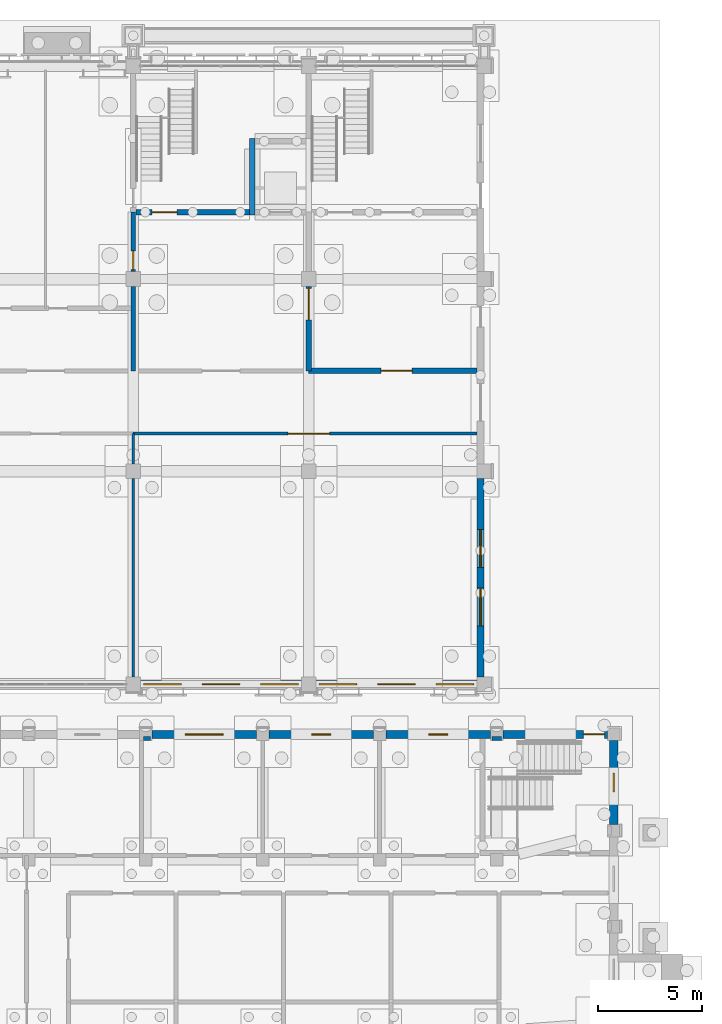
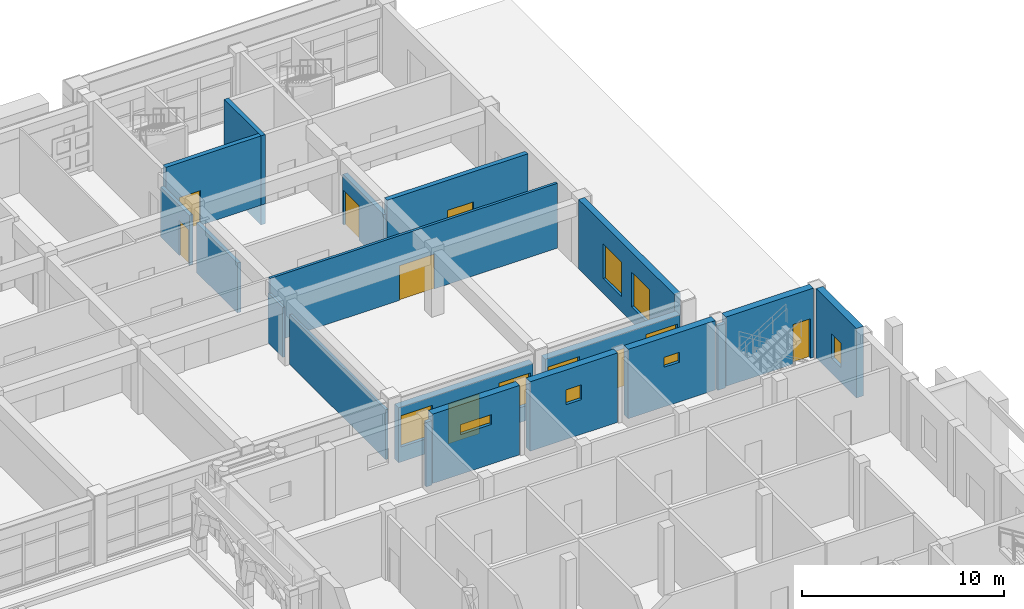
# One storey, part 77 of 112: 20 walls, 10 windows, 8 doors, 18 openings.
"""IFC4 building model written with IfcOpenShell, lengths in metres."""

from ifc_helpers import new_model, si_unit, direction, frame, frame_2d, origin, place, context, subcontext, project, spatial, rectangle, extrude, material, layer, layer_set, type_object, element, fill, save


model = new_model("IFC4")

# Units and contexts
model_context = context("Model", 3, precision=1e-05, world=origin(), true_north=direction((0.0, 1.0)))
body_context = subcontext(model_context, "Body", "Model", "MODEL_VIEW")
ifc_project = project(units=[si_unit("LENGTHUNIT", "METRE"), si_unit("AREAUNIT", "SQUARE_METRE"), si_unit("VOLUMEUNIT", "CUBIC_METRE"), si_unit("PLANEANGLEUNIT", "RADIAN"), si_unit("MASSUNIT", "GRAM", prefix="KILO")], contexts=[model_context])

# Site, building, storey
site_placement = place(None, origin())
site = spatial("IfcSite", under=ifc_project, at=site_placement, CompositionType="ELEMENT")
building_placement = place(site_placement, origin())
building = spatial("IfcBuilding", under=site, at=building_placement, Name="Wasatch Bagh Community Centre", CompositionType="ELEMENT")
storey_placement = place(building_placement, origin())
storey = spatial("IfcBuildingStorey", under=building, at=storey_placement, Name="L00", CompositionType="ELEMENT", Elevation=0.0)

# Wall, opening, door
ifc_material_1 = material(Name="Concrete C40", Category="concrete")
ifc_layer_1 = layer(ifc_material_1, 0.25)
ifc_layer_set_1 = layer_set([ifc_layer_1], Name="Concrete C40")
wall_type_1 = type_object("IfcWallType", Name="LW core wall 250", PredefinedType="SHEAR", material=ifc_layer_set_1)
wall_1_placement = place(storey_placement, frame((122.925048828125, 90.800048828125, 0.0), z_axis=(0.0, 0.0, 1.0), x_axis=(1.0, 0.0, 0.0)))
wall_1 = element("IfcWall", 1, at=wall_1_placement, inside=storey, type_object=wall_type_1, Name="LW.swall.L00.07", PredefinedType="SHEAR", context=body_context, shape_type="SweptSolid", body=[
    extrude(rectangle(XDim=5.449951171875, YDim=0.25, at=frame_2d((2.72509765625, 0.0))), origin(), (0.0, 0.0, 1.0), 4.199951171875),
])
opening_1_placement = place(wall_1_placement, frame((0.77490234375, 0.0, 0.0)))
opening_1 = element("IfcOpeningElement", 2, at=opening_1_placement, cuts=wall_1, Name="Opening 0L-51", PredefinedType="OPENING", context=body_context, shape_type="SweptSolid", body=[
    extrude(rectangle(XDim=1.199951171875, YDim=2.10009765625, at=frame_2d((0.60009765625, 1.050048828125))), frame((0.0, 0.135009765625, 0.0), z_axis=(0.0, -1.0, 0.0), x_axis=(1.0, 0.0, 0.0)), (0.0, 0.0, 1.0), 0.27001953125),
])
ifc_material_2 = material(Name="Painted timber", Category="wood")
door_type_1 = type_object("IfcDoorType", Name="LW stair door 1200x2100", OperationType="SINGLE_SWING_LEFT", PredefinedType="DOOR", material=ifc_material_2)
door_1_placement = place(opening_1_placement, origin())
door_1 = element("IfcDoor", 3, at=door_1_placement, inside=storey, type_object=door_type_1, Name="Stair door 0L-51", OperationType="SINGLE_SWING_LEFT", OverallHeight=2.10009765625, OverallWidth=1.199951171875, PredefinedType="DOOR", context=body_context, shape_type="SweptSolid", body=[
    extrude(rectangle(XDim=1.199951171875, YDim=2.10009765625, at=frame_2d((0.60009765625, 1.050048828125))), frame((0.0, 0.02490234375, 0.0), z_axis=(0.0, -1.0, 0.0), x_axis=(1.0, 0.0, 0.0)), (0.0, 0.0, 1.0), 0.050048828125),
])
fill(opening_1, door_1)

# Wall
wall_2_placement = place(storey_placement, frame((128.5, 90.675048828125, 0.0), z_axis=(0.0, 0.0, 1.0), x_axis=(0.0, 1.0, 0.0)))
element("IfcWall", 4, at=wall_2_placement, inside=storey, type_object=wall_type_1, Name="LW.swall.L00.26", PredefinedType="SHEAR", context=body_context, shape_type="SweptSolid", body=[
    extrude(rectangle(XDim=3.64990234375, YDim=0.25, at=frame_2d((1.824951171875, 0.0))), origin(), (0.0, 0.0, 1.0), 4.199951171875),
])

# Wall, openings, windows
ifc_layer_2 = layer(ifc_material_1, 0.35009765625)
ifc_layer_set_2 = layer_set([ifc_layer_2], Name="Concrete C40")
wall_type_2 = type_object("IfcWallType", Name="LW end shear wall 350", PredefinedType="SHEAR", material=ifc_layer_set_2)
wall_3_placement = place(storey_placement, frame((139.425048828125, 78.050048828125, 0.0), z_axis=(0.0, 0.0, 1.0), x_axis=(0.0, -1.0, 0.0)))
wall_3 = element("IfcWall", 5, at=wall_3_placement, inside=storey, type_object=wall_type_2, Name="LW.swall.L00.28", PredefinedType="SHEAR", context=body_context, shape_type="SweptSolid", body=[
    extrude(rectangle(XDim=9.5, YDim=0.35009765625, at=frame_2d((4.75, 0.0))), origin(), (0.0, 0.0, 1.0), 4.199951171875),
])
opening_2_placement = place(wall_3_placement, frame((5.25, 0.0, 0.89990234375)))
opening_2 = element("IfcOpeningElement", 6, at=opening_2_placement, cuts=wall_3, Name="Opening 0L-W018", PredefinedType="OPENING", context=body_context, shape_type="SweptSolid", body=[
    extrude(rectangle(XDim=1.800048828125, YDim=2.10009765625, at=frame_2d((0.89990234375, 1.050048828125))), frame((0.0, 0.18505859375, 0.0), z_axis=(0.0, -1.0, 0.0), x_axis=(1.0, 0.0, 0.0)), (0.0, 0.0, 1.0), 0.3701171875),
])
opening_3_placement = place(wall_3_placement, frame((2.449951171875, 0.0, 0.89990234375)))
opening_3 = element("IfcOpeningElement", 7, at=opening_3_placement, cuts=wall_3, Name="Opening 0L-W019", PredefinedType="OPENING", context=body_context, shape_type="SweptSolid", body=[
    extrude(rectangle(XDim=1.800048828125, YDim=2.10009765625, at=frame_2d((0.89990234375, 1.050048828125))), frame((0.0, 0.18505859375, 0.0), z_axis=(0.0, -1.0, 0.0), x_axis=(1.0, 0.0, 0.0)), (0.0, 0.0, 1.0), 0.3701171875),
])
ifc_material_3 = material(Name="Aluminium framed double glazing", Category="aluminium")
window_type_1 = type_object("IfcWindowType", Name="LW window 1800x2100", PartitioningType="SINGLE_PANEL", PredefinedType="WINDOW", material=ifc_material_3)
window_1_placement = place(opening_2_placement, origin())
window_1 = element("IfcWindow", 8, at=window_1_placement, inside=storey, type_object=window_type_1, Name="Window 0L-W018", OverallHeight=2.10009765625, OverallWidth=1.800048828125, PartitioningType="SINGLE_PANEL", PredefinedType="WINDOW", context=body_context, shape_type="SweptSolid", body=[
    extrude(rectangle(XDim=1.800048828125, YDim=2.10009765625, at=frame_2d((0.89990234375, 1.050048828125))), frame((0.0, 0.030029296875, 0.0), z_axis=(0.0, -1.0, 0.0), x_axis=(1.0, 0.0, 0.0)), (0.0, 0.0, 1.0), 0.06005859375),
])
fill(opening_2, window_1)
window_2_placement = place(opening_3_placement, origin())
window_2 = element("IfcWindow", 9, at=window_2_placement, inside=storey, type_object=window_type_1, Name="Window 0L-W019", OverallHeight=2.10009765625, OverallWidth=1.800048828125, PartitioningType="SINGLE_PANEL", PredefinedType="WINDOW", context=body_context, shape_type="SweptSolid", body=[
    extrude(rectangle(XDim=1.800048828125, YDim=2.10009765625, at=frame_2d((0.89990234375, 1.050048828125))), frame((0.0, 0.030029296875, 0.0), z_axis=(0.0, -1.0, 0.0), x_axis=(1.0, 0.0, 0.0)), (0.0, 0.0, 1.0), 0.06005859375),
])
fill(opening_3, window_2)

# Wall, openings, door, windows
ifc_material_4 = material(Name="Concrete C35", Category="concrete")
ifc_layer_3 = layer(ifc_material_4, 0.39990234375)
ifc_layer_set_3 = layer_set([ifc_layer_3], Name="Concrete C35")
wall_type_3 = type_object("IfcWallType", Name="LW facade wall 400", PredefinedType="SOLIDWALL", material=ifc_layer_set_3)
wall_4_placement = place(storey_placement, frame((123.14990234375, 68.199951171875, 0.0), z_axis=(0.0, 0.0, 1.0), x_axis=(1.0, 0.0, 0.0)))
wall_4 = element("IfcWall", 10, at=wall_4_placement, inside=storey, type_object=wall_type_3, Name="Facade wall", PredefinedType="SOLIDWALL", context=body_context, shape_type="SweptSolid", body=[
    extrude(rectangle(XDim=7.7001953125, YDim=0.39990234375, at=frame_2d((3.85009765625, 0.0))), origin(), (0.0, 0.0, 1.0), 3.320068359375),
])
opening_4_placement = place(wall_4_placement, frame((2.949951171875, 0.0, 0.0)))
opening_4 = element("IfcOpeningElement", 11, at=opening_4_placement, cuts=wall_4, Name="Opening 0L-03", PredefinedType="OPENING", context=body_context, shape_type="SweptSolid", body=[
    extrude(rectangle(XDim=1.800048828125, YDim=2.39990234375, at=frame_2d((0.89990234375, 1.199951171875))), frame((0.0, 0.2099609375, 0.0), z_axis=(0.0, -1.0, 0.0), x_axis=(1.0, 0.0, 0.0)), (0.0, 0.0, 1.0), 0.419921875),
])
opening_5_placement = place(wall_4_placement, frame((0.14990234375, 0.0, 0.89990234375)))
opening_5 = element("IfcOpeningElement", 12, at=opening_5_placement, cuts=wall_4, Name="Opening 0L-W005", PredefinedType="OPENING", context=body_context, shape_type="SweptSolid", body=[
    extrude(rectangle(XDim=1.800048828125, YDim=1.89990234375, at=frame_2d((0.89990234375, 0.949951171875))), frame((0.0, 0.2099609375, 0.0), z_axis=(0.0, -1.0, 0.0), x_axis=(1.0, 0.0, 0.0)), (0.0, 0.0, 1.0), 0.419921875),
])
opening_6_placement = place(wall_4_placement, frame((5.75, 0.0, 0.89990234375)))
opening_6 = element("IfcOpeningElement", 13, at=opening_6_placement, cuts=wall_4, Name="Opening 0L-W006", PredefinedType="OPENING", context=body_context, shape_type="SweptSolid", body=[
    extrude(rectangle(XDim=1.800048828125, YDim=1.89990234375, at=frame_2d((0.89990234375, 0.949951171875))), frame((0.0, 0.2099609375, 0.0), z_axis=(0.0, -1.0, 0.0), x_axis=(1.0, 0.0, 0.0)), (0.0, 0.0, 1.0), 0.419921875),
])
ifc_material_5 = material(Name="Aluminium framed glazed door", Category="aluminium")
door_type_2 = type_object("IfcDoorType", Name="LW terrace door pair 1800x2400", OperationType="DOUBLE_DOOR_SINGLE_SWING", PredefinedType="DOOR", material=ifc_material_5)
door_2_placement = place(opening_4_placement, origin())
door_2 = element("IfcDoor", 14, at=door_2_placement, inside=storey, type_object=door_type_2, Name="Garden door 0L-03", OperationType="DOUBLE_DOOR_SINGLE_SWING", OverallHeight=2.39990234375, OverallWidth=1.800048828125, PredefinedType="DOOR", context=body_context, shape_type="SweptSolid", body=[
    extrude(rectangle(XDim=1.800048828125, YDim=2.39990234375, at=frame_2d((0.89990234375, 1.199951171875))), frame((0.0, 0.02490234375, 0.0), z_axis=(0.0, -1.0, 0.0), x_axis=(1.0, 0.0, 0.0)), (0.0, 0.0, 1.0), 0.050048828125),
])
fill(opening_4, door_2)
window_type_2 = type_object("IfcWindowType", Name="LW window 1800x1900", PartitioningType="SINGLE_PANEL", PredefinedType="WINDOW", material=ifc_material_3)
window_3_placement = place(opening_5_placement, origin())
window_3 = element("IfcWindow", 15, at=window_3_placement, inside=storey, type_object=window_type_2, Name="Window 0L-W005", OverallHeight=1.89990234375, OverallWidth=1.800048828125, PartitioningType="SINGLE_PANEL", PredefinedType="WINDOW", context=body_context, shape_type="SweptSolid", body=[
    extrude(rectangle(XDim=1.800048828125, YDim=1.89990234375, at=frame_2d((0.89990234375, 0.949951171875))), frame((0.0, 0.030029296875, 0.0), z_axis=(0.0, -1.0, 0.0), x_axis=(1.0, 0.0, 0.0)), (0.0, 0.0, 1.0), 0.06005859375),
])
fill(opening_5, window_3)
window_4_placement = place(opening_6_placement, origin())
window_4 = element("IfcWindow", 16, at=window_4_placement, inside=storey, type_object=window_type_2, Name="Window 0L-W006", OverallHeight=1.89990234375, OverallWidth=1.800048828125, PartitioningType="SINGLE_PANEL", PredefinedType="WINDOW", context=body_context, shape_type="SweptSolid", body=[
    extrude(rectangle(XDim=1.800048828125, YDim=1.89990234375, at=frame_2d((0.89990234375, 0.949951171875))), frame((0.0, 0.030029296875, 0.0), z_axis=(0.0, -1.0, 0.0), x_axis=(1.0, 0.0, 0.0)), (0.0, 0.0, 1.0), 0.06005859375),
])
fill(opening_6, window_4)

wall_5_placement = place(storey_placement, frame((131.550048828125, 68.199951171875, 0.0), z_axis=(0.0, 0.0, 1.0), x_axis=(1.0, 0.0, 0.0)))
wall_5 = element("IfcWall", 17, at=wall_5_placement, inside=storey, type_object=wall_type_3, Name="Facade wall", PredefinedType="SOLIDWALL", context=body_context, shape_type="SweptSolid", body=[
    extrude(rectangle(XDim=7.699951171875, YDim=0.39990234375, at=frame_2d((3.85009765625, 0.0))), origin(), (0.0, 0.0, 1.0), 3.320068359375),
])
opening_7_placement = place(wall_5_placement, frame((2.949951171875, 0.0, 0.0)))
opening_7 = element("IfcOpeningElement", 18, at=opening_7_placement, cuts=wall_5, Name="Opening 0L-04", PredefinedType="OPENING", context=body_context, shape_type="SweptSolid", body=[
    extrude(rectangle(XDim=1.800048828125, YDim=2.39990234375, at=frame_2d((0.89990234375, 1.199951171875))), frame((0.0, 0.2099609375, 0.0), z_axis=(0.0, -1.0, 0.0), x_axis=(1.0, 0.0, 0.0)), (0.0, 0.0, 1.0), 0.419921875),
])
opening_8_placement = place(wall_5_placement, frame((0.14990234375, 0.0, 0.89990234375)))
opening_8 = element("IfcOpeningElement", 19, at=opening_8_placement, cuts=wall_5, Name="Opening 0L-W007", PredefinedType="OPENING", context=body_context, shape_type="SweptSolid", body=[
    extrude(rectangle(XDim=1.800048828125, YDim=1.89990234375, at=frame_2d((0.89990234375, 0.949951171875))), frame((0.0, 0.2099609375, 0.0), z_axis=(0.0, -1.0, 0.0), x_axis=(1.0, 0.0, 0.0)), (0.0, 0.0, 1.0), 0.419921875),
])
opening_9_placement = place(wall_5_placement, frame((5.75, 0.0, 0.89990234375)))
opening_9 = element("IfcOpeningElement", 20, at=opening_9_placement, cuts=wall_5, Name="Opening 0L-W008", PredefinedType="OPENING", context=body_context, shape_type="SweptSolid", body=[
    extrude(rectangle(XDim=1.800048828125, YDim=1.89990234375, at=frame_2d((0.89990234375, 0.949951171875))), frame((0.0, 0.2099609375, 0.0), z_axis=(0.0, -1.0, 0.0), x_axis=(1.0, 0.0, 0.0)), (0.0, 0.0, 1.0), 0.419921875),
])
door_3_placement = place(opening_7_placement, origin())
door_3 = element("IfcDoor", 21, at=door_3_placement, inside=storey, type_object=door_type_2, Name="Garden door 0L-04", OperationType="DOUBLE_DOOR_SINGLE_SWING", OverallHeight=2.39990234375, OverallWidth=1.800048828125, PredefinedType="DOOR", context=body_context, shape_type="SweptSolid", body=[
    extrude(rectangle(XDim=1.800048828125, YDim=2.39990234375, at=frame_2d((0.89990234375, 1.199951171875))), frame((0.0, 0.02490234375, 0.0), z_axis=(0.0, -1.0, 0.0), x_axis=(1.0, 0.0, 0.0)), (0.0, 0.0, 1.0), 0.050048828125),
])
fill(opening_7, door_3)
window_5_placement = place(opening_8_placement, origin())
window_5 = element("IfcWindow", 22, at=window_5_placement, inside=storey, type_object=window_type_2, Name="Window 0L-W007", OverallHeight=1.89990234375, OverallWidth=1.800048828125, PartitioningType="SINGLE_PANEL", PredefinedType="WINDOW", context=body_context, shape_type="SweptSolid", body=[
    extrude(rectangle(XDim=1.800048828125, YDim=1.89990234375, at=frame_2d((0.89990234375, 0.949951171875))), frame((0.0, 0.030029296875, 0.0), z_axis=(0.0, -1.0, 0.0), x_axis=(1.0, 0.0, 0.0)), (0.0, 0.0, 1.0), 0.06005859375),
])
fill(opening_8, window_5)
window_6_placement = place(opening_9_placement, origin())
window_6 = element("IfcWindow", 23, at=window_6_placement, inside=storey, type_object=window_type_2, Name="Window 0L-W008", OverallHeight=1.89990234375, OverallWidth=1.800048828125, PartitioningType="SINGLE_PANEL", PredefinedType="WINDOW", context=body_context, shape_type="SweptSolid", body=[
    extrude(rectangle(XDim=1.800048828125, YDim=1.89990234375, at=frame_2d((0.89990234375, 0.949951171875))), frame((0.0, 0.030029296875, 0.0), z_axis=(0.0, -1.0, 0.0), x_axis=(1.0, 0.0, 0.0)), (0.0, 0.0, 1.0), 0.06005859375),
])
fill(opening_9, window_6)

# Wall
ifc_material_6 = material(Name="Blockwork fire partition", Category="masonry")
ifc_layer_4 = layer(ifc_material_6, 0.199951171875)
ifc_layer_set_4 = layer_set([ifc_layer_4], Name="Blockwork fire partition")
wall_type_4 = type_object("IfcWallType", Name="LW fire partition 200", PredefinedType="PARTITIONING", material=ifc_layer_set_4)
wall_6_placement = place(storey_placement, frame((122.800048828125, 83.199951171875, 0.0), z_axis=(0.0, 0.0, 1.0), x_axis=(0.0, 1.0, 0.0)))
element("IfcWall", 24, at=wall_6_placement, inside=storey, type_object=wall_type_4, Name="LW.part.L00.038", PredefinedType="PARTITIONING", context=body_context, shape_type="SweptSolid", body=[
    extrude(rectangle(XDim=4.050048828125, YDim=0.199951171875, at=frame_2d((2.02490234375, 0.0))), origin(), (0.0, 0.0, 1.0), 3.02001953125),
])

# Wall, opening, door
wall_7_placement = place(storey_placement, frame((122.800048828125, 87.949951171875, 0.0), z_axis=(0.0, 0.0, 1.0), x_axis=(0.0, 1.0, 0.0)))
wall_7 = element("IfcWall", 25, at=wall_7_placement, inside=storey, type_object=wall_type_4, Name="LW.part.L00.039", PredefinedType="PARTITIONING", context=body_context, shape_type="SweptSolid", body=[
    extrude(rectangle(XDim=2.85009765625, YDim=0.199951171875, at=frame_2d((1.425048828125, 0.0))), origin(), (0.0, 0.0, 1.0), 3.02001953125),
])
opening_10_placement = place(wall_7_placement, frame((0.10009765625, 0.0, 0.0)))
opening_10 = element("IfcOpeningElement", 26, at=opening_10_placement, cuts=wall_7, Name="Opening 0L-34", PredefinedType="OPENING", context=body_context, shape_type="SweptSolid", body=[
    extrude(rectangle(XDim=0.89990234375, YDim=2.10009765625, at=frame_2d((0.449951171875, 1.050048828125))), frame((0.0, 0.10986328125, 0.0), z_axis=(0.0, -1.0, 0.0), x_axis=(1.0, 0.0, 0.0)), (0.0, 0.0, 1.0), 0.219970703125),
])
door_type_3 = type_object("IfcDoorType", Name="LW WC door 900x2100", OperationType="SINGLE_SWING_LEFT", PredefinedType="DOOR", material=ifc_material_2)
door_4_placement = place(opening_10_placement, origin())
door_4 = element("IfcDoor", 27, at=door_4_placement, inside=storey, type_object=door_type_3, Name="Door Men's Toilets 0L-34", OperationType="SINGLE_SWING_RIGHT", OverallHeight=2.10009765625, OverallWidth=0.89990234375, PredefinedType="DOOR", context=body_context, shape_type="SweptSolid", body=[
    extrude(rectangle(XDim=0.89990234375, YDim=2.10009765625, at=frame_2d((0.449951171875, 1.050048828125))), frame((0.0, 0.02490234375, 0.0), z_axis=(0.0, -1.0, 0.0), x_axis=(1.0, 0.0, 0.0)), (0.0, 0.0, 1.0), 0.050048828125),
])
fill(opening_10, door_4)

# Wall
ifc_layer_5 = layer(ifc_material_4, 0.25)
ifc_layer_set_5 = layer_set([ifc_layer_5], Name="Concrete C35")
wall_type_5 = type_object("IfcWallType", Name="LW lift pit wall 250", PredefinedType="SOLIDWALL", material=ifc_layer_set_5)
wall_8_placement = place(storey_placement, frame((128.5, 90.675048828125, -1.199951171875), z_axis=(0.0, 0.0, 1.0), x_axis=(0.0, 1.0, 0.0)))
element("IfcWall", 28, at=wall_8_placement, inside=storey, type_object=wall_type_5, Name="LW.pit.C3.wall3", PredefinedType="SOLIDWALL", context=body_context, shape_type="SweptSolid", body=[
    extrude(rectangle(XDim=3.64990234375, YDim=0.25, at=frame_2d((1.824951171875, 0.0))), origin(), (0.0, 0.0, 1.0), 1.199951171875),
])

# Wall, opening, door
ifc_material_7 = material(Name="Gypsum board on steel studs", Category="steel")
ifc_layer_6 = layer(ifc_material_7, 0.14990234375)
ifc_layer_set_6 = layer_set([ifc_layer_6], Name="Gypsum board on steel studs")
wall_type_6 = type_object("IfcWallType", Name="LW partition 150", PredefinedType="PARTITIONING", material=ifc_layer_set_6)
wall_9_placement = place(storey_placement, frame((122.800048828125, 80.199951171875, 0.0), z_axis=(0.0, 0.0, 1.0), x_axis=(1.0, 0.0, 0.0)))
wall_9 = element("IfcWall", 29, at=wall_9_placement, inside=storey, type_object=wall_type_6, Name="LW.part.L00.003", PredefinedType="PARTITIONING", context=body_context, shape_type="SweptSolid", body=[
    extrude(rectangle(XDim=16.449951171875, YDim=0.14990234375, at=frame_2d((8.22509765625, 0.0))), origin(), (0.0, 0.0, 1.0), 3.919921875),
])
opening_11_placement = place(wall_9_placement, frame((7.39990234375, 0.0, 0.0)))
opening_11 = element("IfcOpeningElement", 30, at=opening_11_placement, cuts=wall_9, Name="Opening 0L-17", PredefinedType="OPENING", context=body_context, shape_type="SweptSolid", body=[
    extrude(rectangle(XDim=2.0, YDim=2.10009765625, at=frame_2d((1.0, 1.050048828125))), frame((0.0, 0.0849609375, 0.0), z_axis=(0.0, -1.0, 0.0), x_axis=(1.0, 0.0, 0.0)), (0.0, 0.0, 1.0), 0.169921875),
])
door_type_4 = type_object("IfcDoorType", Name="LW assembly door pair 2000x2100", OperationType="DOUBLE_DOOR_SINGLE_SWING", PredefinedType="DOOR", material=ifc_material_2)
door_5_placement = place(opening_11_placement, origin())
door_5 = element("IfcDoor", 31, at=door_5_placement, inside=storey, type_object=door_type_4, Name="Door Community Cafe 0L-17", OperationType="DOUBLE_DOOR_SINGLE_SWING", OverallHeight=2.10009765625, OverallWidth=2.0, PredefinedType="DOOR", context=body_context, shape_type="SweptSolid", body=[
    extrude(rectangle(XDim=2.0, YDim=2.10009765625, at=frame_2d((1.0, 1.050048828125))), frame((0.0, 0.02490234375, 0.0), z_axis=(0.0, -1.0, 0.0), x_axis=(1.0, 0.0, 0.0)), (0.0, 0.0, 1.0), 0.050048828125),
])
fill(opening_11, door_5)

ifc_material_8 = material(Name="Dense blockwork acoustic partition", Category="masonry")
ifc_layer_7 = layer(ifc_material_8, 0.260009765625)
ifc_layer_set_7 = layer_set([ifc_layer_7], Name="Dense blockwork acoustic partition")
wall_type_7 = type_object("IfcWallType", Name="LW plant room partition 260", PredefinedType="PARTITIONING", material=ifc_layer_set_7)
wall_10_placement = place(storey_placement, frame((131.199951171875, 83.199951171875, 0.0), z_axis=(0.0, 0.0, 1.0), x_axis=(1.0, 0.0, 0.0)))
wall_10 = element("IfcWall", 32, at=wall_10_placement, inside=storey, type_object=wall_type_7, Name="LW.part.L00.007", PredefinedType="PARTITIONING", context=body_context, shape_type="SweptSolid", body=[
    extrude(rectangle(XDim=8.050048828125, YDim=0.260009765625, at=frame_2d((4.02490234375, 0.0))), origin(), (0.0, 0.0, 1.0), 3.919921875),
])
opening_12_placement = place(wall_10_placement, frame((3.449951171875, 0.0, 0.0)))
opening_12 = element("IfcOpeningElement", 33, at=opening_12_placement, cuts=wall_10, Name="Opening 0L-36", PredefinedType="OPENING", context=body_context, shape_type="SweptSolid", body=[
    extrude(rectangle(XDim=1.5, YDim=2.10009765625, at=frame_2d((0.75, 1.050048828125))), frame((0.0, 0.139892578125, 0.0), z_axis=(0.0, -1.0, 0.0), x_axis=(1.0, 0.0, 0.0)), (0.0, 0.0, 1.0), 0.280029296875),
])
door_type_5 = type_object("IfcDoorType", Name="LW plant door pair 1500x2400", OperationType="DOUBLE_DOOR_SINGLE_SWING", PredefinedType="DOOR", material=ifc_material_2)
door_6_placement = place(opening_12_placement, origin())
door_6 = element("IfcDoor", 34, at=door_6_placement, inside=storey, type_object=door_type_5, Name="Door Plant Room 0L-36", OperationType="DOUBLE_DOOR_SINGLE_SWING", OverallHeight=2.10009765625, OverallWidth=1.5, PredefinedType="DOOR", context=body_context, shape_type="SweptSolid", body=[
    extrude(rectangle(XDim=1.5, YDim=2.10009765625, at=frame_2d((0.75, 1.050048828125))), frame((0.0, 0.02490234375, 0.0), z_axis=(0.0, -1.0, 0.0), x_axis=(1.0, 0.0, 0.0)), (0.0, 0.0, 1.0), 0.050048828125),
])
fill(opening_12, door_6)

wall_11_placement = place(storey_placement, frame((131.199951171875, 83.199951171875, 0.0), z_axis=(0.0, 0.0, 1.0), x_axis=(0.0, 1.0, 0.0)))
wall_11 = element("IfcWall", 35, at=wall_11_placement, inside=storey, type_object=wall_type_7, Name="LW.part.L00.042", PredefinedType="PARTITIONING", context=body_context, shape_type="SweptSolid", body=[
    extrude(rectangle(XDim=4.050048828125, YDim=0.260009765625, at=frame_2d((2.02490234375, 0.0))), origin(), (0.0, 0.0, 1.0), 3.02001953125),
])
opening_13_placement = place(wall_11_placement, frame((2.449951171875, 0.0, 0.0)))
opening_13 = element("IfcOpeningElement", 36, at=opening_13_placement, cuts=wall_11, Name="Opening 0L-37", PredefinedType="OPENING", context=body_context, shape_type="SweptSolid", body=[
    extrude(rectangle(XDim=1.5, YDim=2.10009765625, at=frame_2d((0.75, 1.050048828125))), frame((0.0, 0.139892578125, 0.0), z_axis=(0.0, -1.0, 0.0), x_axis=(1.0, 0.0, 0.0)), (0.0, 0.0, 1.0), 0.280029296875),
])
door_7_placement = place(opening_13_placement, origin())
door_7 = element("IfcDoor", 37, at=door_7_placement, inside=storey, type_object=door_type_5, Name="Door Plant Room 0L-37", OperationType="DOUBLE_DOOR_SINGLE_SWING", OverallHeight=2.10009765625, OverallWidth=1.5, PredefinedType="DOOR", context=body_context, shape_type="SweptSolid", body=[
    extrude(rectangle(XDim=1.5, YDim=2.10009765625, at=frame_2d((0.75, 1.050048828125))), frame((0.0, 0.02490234375, 0.0), z_axis=(0.0, -1.0, 0.0), x_axis=(1.0, 0.0, 0.0)), (0.0, 0.0, 1.0), 0.050048828125),
])
fill(opening_13, door_7)

# Walls
ifc_material_9 = material(Name="Impact resistant board on steel studs", Category="steel")
ifc_layer_8 = layer(ifc_material_9, 0.139892578125)
ifc_layer_set_8 = layer_set([ifc_layer_8], Name="Impact resistant board on steel studs")
wall_type_8 = type_object("IfcWallType", Name="LW youth room partition 140", PredefinedType="PARTITIONING", material=ifc_layer_set_8)
wall_12_placement = place(storey_placement, frame((122.800048828125, 68.550048828125, 0.0), z_axis=(0.0, 0.0, 1.0), x_axis=(0.0, 1.0, 0.0)))
element("IfcWall", 38, at=wall_12_placement, inside=storey, type_object=wall_type_8, Name="LW.part.L00.040", PredefinedType="PARTITIONING", context=body_context, shape_type="SweptSolid", body=[
    extrude(rectangle(XDim=9.5, YDim=0.139892578125, at=frame_2d((4.75, 0.0))), origin(), (0.0, 0.0, 1.0), 3.02001953125),
])
wall_13_placement = place(storey_placement, frame((122.800048828125, 78.75, 0.0), z_axis=(0.0, 0.0, 1.0), x_axis=(0.0, 1.0, 0.0)))
element("IfcWall", 39, at=wall_13_placement, inside=storey, type_object=wall_type_8, Name="LW.part.L00.041", PredefinedType="PARTITIONING", context=body_context, shape_type="SweptSolid", body=[
    extrude(rectangle(XDim=1.449951171875, YDim=0.139892578125, at=frame_2d((0.72509765625, 0.0))), origin(), (0.0, 0.0, 1.0), 3.02001953125),
])

# Wall, opening, window
ifc_layer_9 = layer(ifc_material_1, 0.39990234375)
ifc_layer_set_9 = layer_set([ifc_layer_9], Name="Concrete C40")
wall_type_9 = type_object("IfcWallType", Name="SH RC WALL 400 solidwall", PredefinedType="SOLIDWALL", material=ifc_layer_set_9)
wall_14_placement = place(storey_placement, frame((123.699951171875, 65.800048828125, 0.0), z_axis=(0.0, 0.0, 1.0), x_axis=(1.0, 0.0, 0.0)))
wall_14 = element("IfcWall", 40, at=wall_14_placement, inside=storey, type_object=wall_type_9, Name="SH.wall.L00.09", PredefinedType="SOLIDWALL", context=body_context, shape_type="SweptSolid", body=[
    extrude(rectangle(XDim=5.0, YDim=0.39990234375, at=frame_2d((2.5, 0.0))), origin(), (0.0, 0.0, 1.0), 4.199951171875),
])
opening_14_placement = place(wall_14_placement, frame((1.60009765625, 0.0, 2.39990234375)))
opening_14 = element("IfcOpeningElement", 41, at=opening_14_placement, cuts=wall_14, Name="Opening 0S-W03", PredefinedType="OPENING", context=body_context, shape_type="SweptSolid", body=[
    extrude(rectangle(XDim=1.800048828125, YDim=0.60009765625, at=frame_2d((0.89990234375, 0.300048828125))), frame((0.0, 0.2099609375, 0.0), z_axis=(0.0, -1.0, 0.0), x_axis=(1.0, 0.0, 0.0)), (0.0, 0.0, 1.0), 0.419921875),
])
ifc_material_10 = material(Name="Aluminium frame with double glazing", Category="aluminium")
window_type_3 = type_object("IfcWindowType", Name="SH window 1800x600", PartitioningType="SINGLE_PANEL", PredefinedType="WINDOW", material=ifc_material_10)
window_7_placement = place(opening_14_placement, origin())
window_7 = element("IfcWindow", 42, at=window_7_placement, inside=storey, type_object=window_type_3, Name="SH.window.L00.0S-W03", OverallHeight=0.60009765625, OverallWidth=1.800048828125, PartitioningType="SINGLE_PANEL", PredefinedType="WINDOW", context=body_context, shape_type="SweptSolid", body=[
    extrude(rectangle(XDim=1.800048828125, YDim=0.60009765625, at=frame_2d((0.89990234375, 0.300048828125))), frame((0.0, 0.030029296875, 0.0), z_axis=(0.0, -1.0, 0.0), x_axis=(1.0, 0.0, 0.0)), (0.0, 0.0, 1.0), 0.06005859375),
])
fill(opening_14, window_7)

wall_15_placement = place(storey_placement, frame((129.300048828125, 65.800048828125, 0.0), z_axis=(0.0, 0.0, 1.0), x_axis=(1.0, 0.0, 0.0)))
wall_15 = element("IfcWall", 43, at=wall_15_placement, inside=storey, type_object=wall_type_9, Name="SH.wall.L00.10", PredefinedType="SOLIDWALL", context=body_context, shape_type="SweptSolid", body=[
    extrude(rectangle(XDim=5.0, YDim=0.39990234375, at=frame_2d((2.5, 0.0))), origin(), (0.0, 0.0, 1.0), 4.199951171875),
])
opening_15_placement = place(wall_15_placement, frame((2.050048828125, 0.0, 2.10009765625)))
opening_15 = element("IfcOpeningElement", 44, at=opening_15_placement, cuts=wall_15, Name="Opening 0S-W04", PredefinedType="OPENING", context=body_context, shape_type="SweptSolid", body=[
    extrude(rectangle(XDim=0.89990234375, YDim=0.89990234375, at=frame_2d((0.449951171875, 0.449951171875))), frame((0.0, 0.2099609375, 0.0), z_axis=(0.0, -1.0, 0.0), x_axis=(1.0, 0.0, 0.0)), (0.0, 0.0, 1.0), 0.419921875),
])
window_type_4 = type_object("IfcWindowType", Name="SH window 900x900", PartitioningType="SINGLE_PANEL", PredefinedType="WINDOW", material=ifc_material_10)
window_8_placement = place(opening_15_placement, origin())
window_8 = element("IfcWindow", 45, at=window_8_placement, inside=storey, type_object=window_type_4, Name="SH.window.L00.0S-W04", OverallHeight=0.89990234375, OverallWidth=0.89990234375, PartitioningType="SINGLE_PANEL", PredefinedType="WINDOW", context=body_context, shape_type="SweptSolid", body=[
    extrude(rectangle(XDim=0.89990234375, YDim=0.89990234375, at=frame_2d((0.449951171875, 0.449951171875))), frame((0.0, 0.030029296875, 0.0), z_axis=(0.0, -1.0, 0.0), x_axis=(1.0, 0.0, 0.0)), (0.0, 0.0, 1.0), 0.06005859375),
])
fill(opening_15, window_8)

wall_16_placement = place(storey_placement, frame((134.89990234375, 65.800048828125, 0.0), z_axis=(0.0, 0.0, 1.0), x_axis=(1.0, 0.0, 0.0)))
wall_16 = element("IfcWall", 46, at=wall_16_placement, inside=storey, type_object=wall_type_9, Name="SH.wall.L00.11", PredefinedType="SOLIDWALL", context=body_context, shape_type="SweptSolid", body=[
    extrude(rectangle(XDim=5.0, YDim=0.39990234375, at=frame_2d((2.5, 0.0))), origin(), (0.0, 0.0, 1.0), 4.199951171875),
])
opening_16_placement = place(wall_16_placement, frame((2.050048828125, 0.0, 2.39990234375)))
opening_16 = element("IfcOpeningElement", 47, at=opening_16_placement, cuts=wall_16, Name="Opening 0S-W05", PredefinedType="OPENING", context=body_context, shape_type="SweptSolid", body=[
    extrude(rectangle(XDim=0.89990234375, YDim=0.60009765625, at=frame_2d((0.449951171875, 0.300048828125))), frame((0.0, 0.2099609375, 0.0), z_axis=(0.0, -1.0, 0.0), x_axis=(1.0, 0.0, 0.0)), (0.0, 0.0, 1.0), 0.419921875),
])
window_type_5 = type_object("IfcWindowType", Name="SH window 900x600", PartitioningType="SINGLE_PANEL", PredefinedType="WINDOW", material=ifc_material_10)
window_9_placement = place(opening_16_placement, origin())
window_9 = element("IfcWindow", 48, at=window_9_placement, inside=storey, type_object=window_type_5, Name="SH.window.L00.0S-W05", OverallHeight=0.60009765625, OverallWidth=0.89990234375, PartitioningType="SINGLE_PANEL", PredefinedType="WINDOW", context=body_context, shape_type="SweptSolid", body=[
    extrude(rectangle(XDim=0.89990234375, YDim=0.60009765625, at=frame_2d((0.449951171875, 0.300048828125))), frame((0.0, 0.030029296875, 0.0), z_axis=(0.0, -1.0, 0.0), x_axis=(1.0, 0.0, 0.0)), (0.0, 0.0, 1.0), 0.06005859375),
])
fill(opening_16, window_9)

# Wall, opening, door
wall_17_placement = place(storey_placement, frame((140.5, 65.800048828125, 0.0), z_axis=(0.0, 0.0, 1.0), x_axis=(1.0, 0.0, 0.0)))
wall_17 = element("IfcWall", 49, at=wall_17_placement, inside=storey, type_object=wall_type_9, Name="SH.wall.L00.12", PredefinedType="SOLIDWALL", context=body_context, shape_type="SweptSolid", body=[
    extrude(rectangle(XDim=5.0, YDim=0.39990234375, at=frame_2d((2.5, 0.0))), origin(), (0.0, 0.0, 1.0), 4.199951171875),
])
opening_17_placement = place(wall_17_placement, frame((3.85009765625, 0.0, 0.0)))
opening_17 = element("IfcOpeningElement", 50, at=opening_17_placement, cuts=wall_17, Name="Opening 0S-05", PredefinedType="OPENING", context=body_context, shape_type="SweptSolid", body=[
    extrude(rectangle(XDim=1.0, YDim=2.39990234375, at=frame_2d((0.5, 1.199951171875))), frame((0.0, 0.2099609375, 0.0), z_axis=(0.0, -1.0, 0.0), x_axis=(1.0, 0.0, 0.0)), (0.0, 0.0, 1.0), 0.419921875),
])
ifc_material_11 = material(Name="Painted hardwood timber", Category="wood")
door_type_6 = type_object("IfcDoorType", Name="SH door 1000x2400 single", OperationType="SINGLE_SWING_LEFT", PredefinedType="DOOR", material=ifc_material_11)
door_8_placement = place(opening_17_placement, origin())
door_8 = element("IfcDoor", 51, at=door_8_placement, inside=storey, type_object=door_type_6, Name="SH.door.L00.0S-05", OperationType="SINGLE_SWING_LEFT", OverallHeight=2.39990234375, OverallWidth=1.0, PredefinedType="DOOR", context=body_context, shape_type="SweptSolid", body=[
    extrude(rectangle(XDim=1.0, YDim=2.39990234375, at=frame_2d((0.5, 1.199951171875))), frame((0.0, 0.02490234375, 0.0), z_axis=(0.0, -1.0, 0.0), x_axis=(1.0, 0.0, 0.0)), (0.0, 0.0, 1.0), 0.050048828125),
])
fill(opening_17, door_8)

# Wall, opening, window
wall_18_placement = place(storey_placement, frame((145.800048828125, 61.5, 0.0), z_axis=(0.0, 0.0, 1.0), x_axis=(0.0, 1.0, 0.0)))
wall_18 = element("IfcWall", 52, at=wall_18_placement, inside=storey, type_object=wall_type_9, Name="SH.wall.L00.24", PredefinedType="SOLIDWALL", context=body_context, shape_type="SweptSolid", body=[
    extrude(rectangle(XDim=4.0, YDim=0.39990234375, at=frame_2d((2.0, 0.0))), origin(), (0.0, 0.0, 1.0), 4.199951171875),
])
opening_18_placement = place(wall_18_placement, frame((1.550048828125, 0.0, 0.89990234375)))
opening_18 = element("IfcOpeningElement", 53, at=opening_18_placement, cuts=wall_18, Name="Opening 0S-W11", PredefinedType="OPENING", context=body_context, shape_type="SweptSolid", body=[
    extrude(rectangle(XDim=0.89990234375, YDim=1.5, at=frame_2d((0.449951171875, 0.75))), frame((0.0, 0.2099609375, 0.0), z_axis=(0.0, -1.0, 0.0), x_axis=(1.0, 0.0, 0.0)), (0.0, 0.0, 1.0), 0.419921875),
])
window_type_6 = type_object("IfcWindowType", Name="SH window 900x1500", PartitioningType="SINGLE_PANEL", PredefinedType="WINDOW", material=ifc_material_10)
window_10_placement = place(opening_18_placement, origin())
window_10 = element("IfcWindow", 54, at=window_10_placement, inside=storey, type_object=window_type_6, Name="SH.window.L00.0S-W11", OverallHeight=1.5, OverallWidth=0.89990234375, PartitioningType="SINGLE_PANEL", PredefinedType="WINDOW", context=body_context, shape_type="SweptSolid", body=[
    extrude(rectangle(XDim=0.89990234375, YDim=1.5, at=frame_2d((0.449951171875, 0.75))), frame((0.0, 0.030029296875, 0.0), z_axis=(0.0, -1.0, 0.0), x_axis=(1.0, 0.0, 0.0)), (0.0, 0.0, 1.0), 0.06005859375),
])
fill(opening_18, window_10)

# Walls
ifc_material_12 = material(Name="Hollow block masonry, medium weight (ASTM Grade N)", Category="masonry")
ifc_layer_10 = layer(ifc_material_12, 0.18994140625)
ifc_layer_set_10 = layer_set([ifc_layer_10], Name="Hollow block masonry, medium weight (ASTM Grade N)")
wall_type_10 = type_object("IfcWallType", Name="SH partition 190", PredefinedType="PARTITIONING", material=ifc_layer_set_10)
wall_19_placement = place(storey_placement, frame((123.6201171875, 65.60009765625, 0.0), z_axis=(0.0, 0.0, 1.0), x_axis=(-1.0, 0.0, 0.0)))
element("IfcWall", 55, at=wall_19_placement, inside=storey, type_object=wall_type_10, Name="SH.part.L00.022", PredefinedType="PARTITIONING", context=body_context, shape_type="SweptSolid", body=[
    extrude(rectangle(XDim=0.3251953125, YDim=0.18994140625, at=frame_2d((0.16259765625, 0.0))), origin(), (0.0, 0.0, 1.0), 3.89990234375),
])
wall_20_placement = place(storey_placement, frame((140.419921875, 65.60009765625, 0.0), z_axis=(0.0, 0.0, 1.0), x_axis=(-1.0, 0.0, 0.0)))
element("IfcWall", 56, at=wall_20_placement, inside=storey, type_object=wall_type_10, Name="SH.part.L00.057", PredefinedType="PARTITIONING", context=body_context, shape_type="SweptSolid", body=[
    extrude(rectangle(XDim=0.43994140625, YDim=0.18994140625, at=frame_2d((0.219970703125, 0.0))), origin(), (0.0, 0.0, 1.0), 3.89990234375),
])

save(model, "model.ifc")
